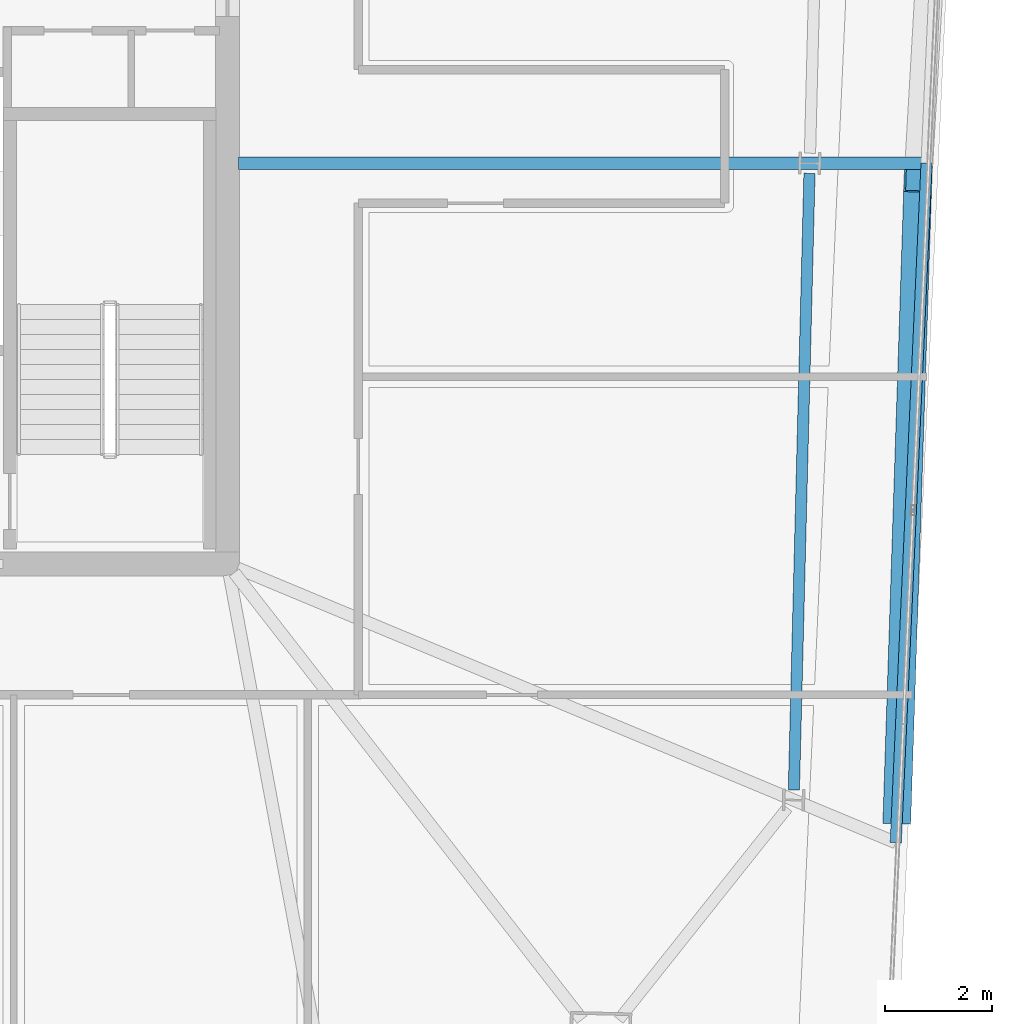
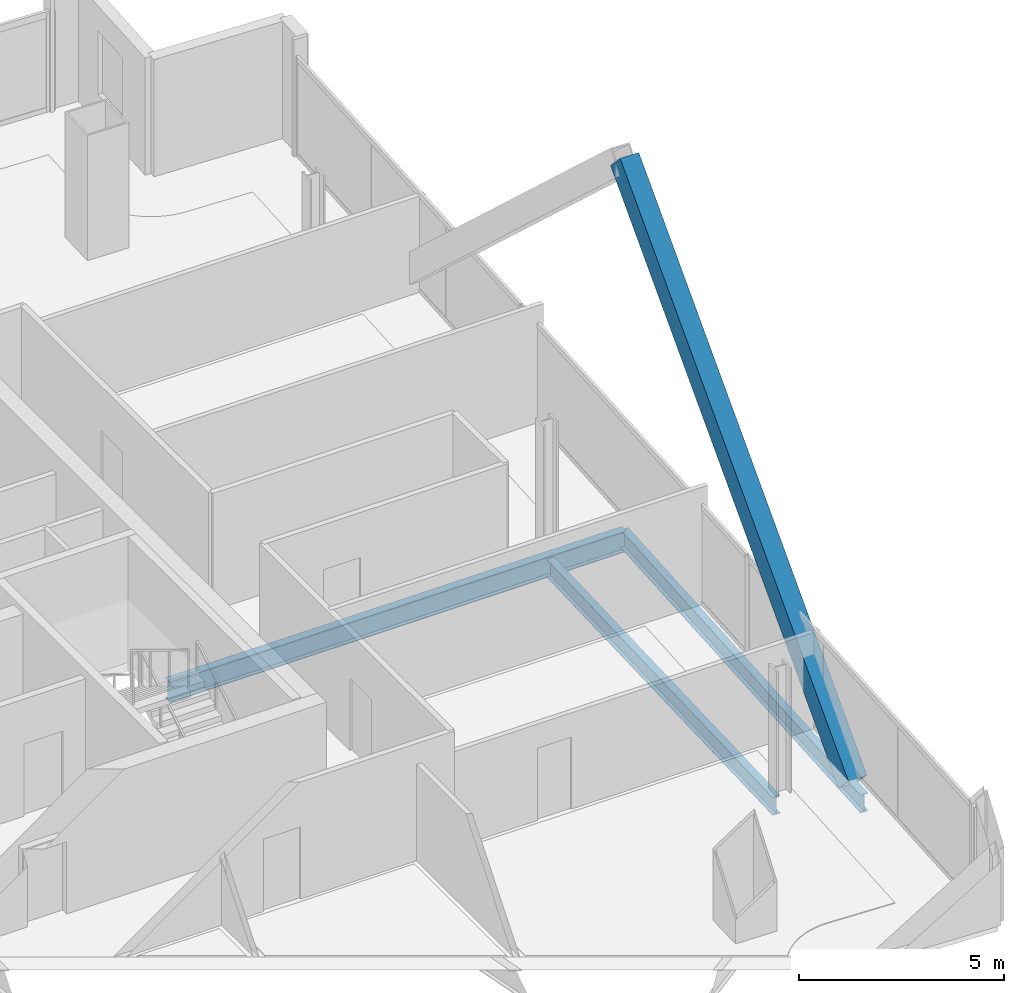
# One storey, part 10 of 26: 3 beams, 1 member.
"""IFC4 building model written with IfcOpenShell, lengths in metres."""

from ifc_helpers import new_model, si_unit, direction, frame, origin, origin_2d, place, context, subcontext, project, spatial, hollow_rectangle, i_section, extrude, material, material_profile, profile_set, type_object, element, save


model = new_model("IFC4")

# Units and contexts
model_context = context("Model", 3, precision=1e-05, world=origin(), true_north=direction((0.0, 1.0)))
body_context = subcontext(model_context, "Body", "Model", "MODEL_VIEW")
ifc_project = project(units=[si_unit("LENGTHUNIT", "METRE"), si_unit("AREAUNIT", "SQUARE_METRE"), si_unit("VOLUMEUNIT", "CUBIC_METRE"), si_unit("PLANEANGLEUNIT", "RADIAN"), si_unit("MASSUNIT", "GRAM", prefix="KILO")], contexts=[model_context])

# Site, building, storey
site_placement = place(None, origin())
site = spatial("IfcSite", under=ifc_project, at=site_placement, CompositionType="ELEMENT")
building_placement = place(site_placement, origin())
building = spatial("IfcBuilding", under=site, at=building_placement, Name="Haldenkirk Collegiate Tower", CompositionType="ELEMENT")
storey_placement = place(building_placement, frame((0.0, 0.0, 321.449951171875)))
storey = spatial("IfcBuildingStorey", under=building, at=storey_placement, Name="L81", CompositionType="ELEMENT", Elevation=321.449951171875)

# Beams
ifc_material_1 = material(Name="Steel ASTM A992 Grade 50", Category="steel")
ifc_material_profile_1 = material_profile(ifc_material_1, i_section(OverallWidth=0.22998046875, OverallDepth=0.616943359375, WebThickness=0.01318359375, FlangeThickness=0.022216796875, at=origin_2d()), Name="W24X94")
ifc_profile_set_1 = profile_set([ifc_material_profile_1], Name="Steel ASTM A992 Grade 50")
beam_type_1 = type_object("IfcBeamType", Name="BM-GIRDER-W24X94", PredefinedType="BEAM", material=ifc_profile_set_1)
beam_1_placement = place(storey_placement, frame((58.079833984375, 25.496337890625, -0.568359375), z_axis=(-1.0, 0.0, 0.0), x_axis=(0.0, -1.0, 0.0)))
element("IfcBeam", 1, at=beam_1_placement, inside=storey, type_object=beam_type_1, Name="L81 primary floor girder 06", PredefinedType="BEAM", context=body_context, shape_type="SweptSolid", body=[
    extrude(i_section(OverallWidth=0.22998046875, OverallDepth=0.616943359375, WebThickness=0.01318359375, FlangeThickness=0.022216796875, at=origin_2d()), origin(), (0.0, 0.0, 1.0), 12.874755859375),
])
ifc_material_profile_2 = material_profile(ifc_material_1, i_section(OverallWidth=0.2099609375, OverallDepth=0.537109375, WebThickness=0.010986328125, FlangeThickness=0.017333984375, at=origin_2d()), Name="W21X68")
ifc_profile_set_2 = profile_set([ifc_material_profile_2], Name="Steel ASTM A992 Grade 50")
beam_type_2 = type_object("IfcBeamType", Name="BM-SPANDREL-W21X68", PredefinedType="SPANDREL", material=ifc_profile_set_2)
beam_2_placement = place(storey_placement, frame((55.596923828125, 13.772216796875, -0.528564453125), z_axis=(0.025302458902, 0.999679841536, 0.0), x_axis=(-0.999679841536, 0.025302458902, 0.0)))
element("IfcBeam", 2, at=beam_2_placement, inside=storey, type_object=beam_type_2, Name="L81 perimeter spandrel beam 02", PredefinedType="SPANDREL", context=body_context, shape_type="SweptSolid", body=[
    extrude(i_section(OverallWidth=0.2099609375, OverallDepth=0.537109375, WebThickness=0.010986328125, FlangeThickness=0.017333984375, at=origin_2d()), origin(), (0.0, 0.0, 1.0), 11.5400390625),
])
beam_3_placement = place(storey_placement, frame((57.502685546875, 12.787841796875, -0.528564453125), z_axis=(0.045367616899, 0.998970359589, 0.0), x_axis=(-0.998970359589, 0.045367616899, 0.0)))
element("IfcBeam", 3, at=beam_3_placement, inside=storey, type_object=beam_type_2, Name="L81 outer facade edge beam 1A", PredefinedType="SPANDREL", context=body_context, shape_type="SweptSolid", body=[
    extrude(i_section(OverallWidth=0.2099609375, OverallDepth=0.537109375, WebThickness=0.010986328125, FlangeThickness=0.017333984375, at=origin_2d()), origin(), (0.0, 0.0, 1.0), 12.7216796875),
])

# Member
ifc_material_2 = material(Name="Steel ASTM A572 Grade 50", Category="steel")
ifc_material_profile_3 = material_profile(ifc_material_2, hollow_rectangle(XDim=0.52001953125, YDim=0.719970703125, WallThickness=0.035888671875, at=origin_2d()), Name="BOX720X520X36")
ifc_profile_set_3 = profile_set([ifc_material_profile_3], Name="Steel ASTM A572 Grade 50")
member_type = type_object("IfcMemberType", Name="MBR-MEGABRACE-BOX720X520X36", PredefinedType="BRACE", material=ifc_profile_set_3)
member_placement = place(storey_placement, frame((57.530029296875, 13.38720703125, -0.27001953125), z_axis=(0.023843059795, 0.724117016728, 0.689264865334), x_axis=(-0.999458344067, 0.032909246033, 0.0)))
element("IfcMember", 4, at=member_placement, inside=storey, type_object=member_type, Name="Perimeter Mega Brace Z6 L81-L83 SL", PredefinedType="BRACE", context=body_context, shape_type="SweptSolid", body=[
    extrude(hollow_rectangle(XDim=0.52001953125, YDim=0.719970703125, WallThickness=0.035888671875, at=origin_2d()), origin(), (0.0, 0.0, 1.0), 16.32177734375),
])

save(model, "model.ifc")
